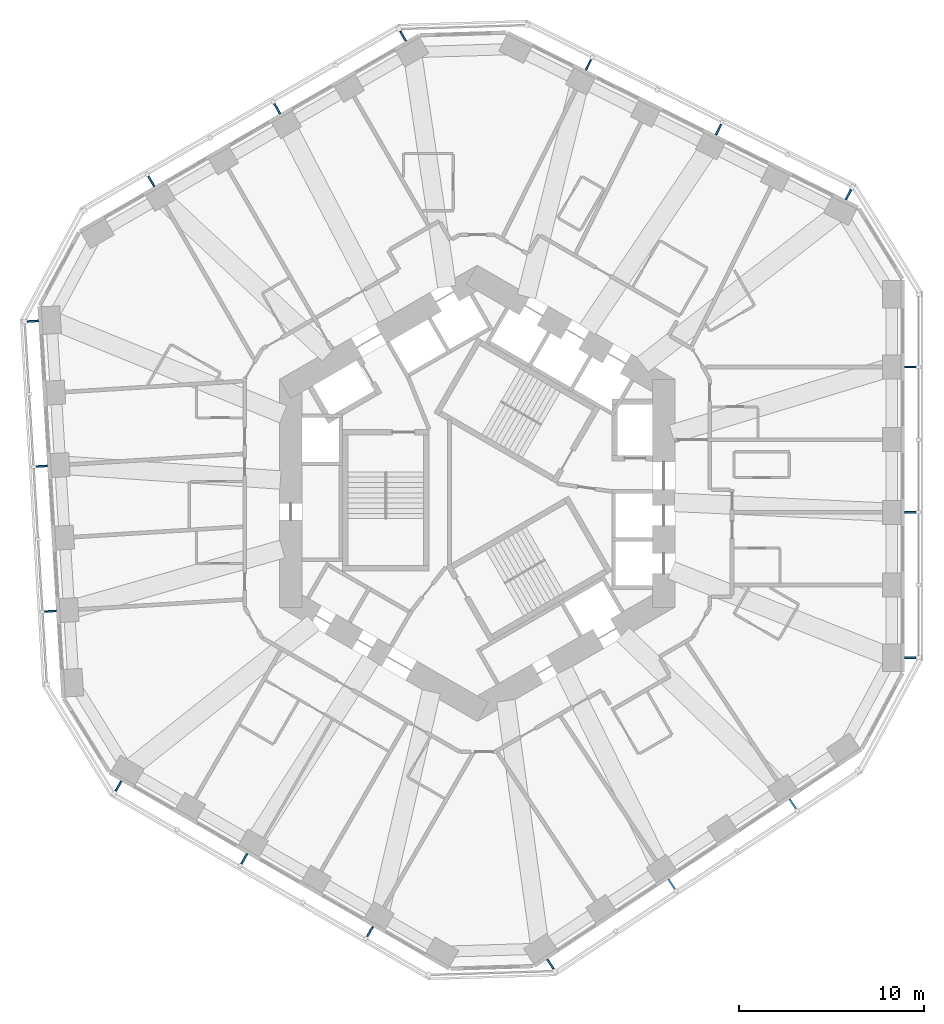
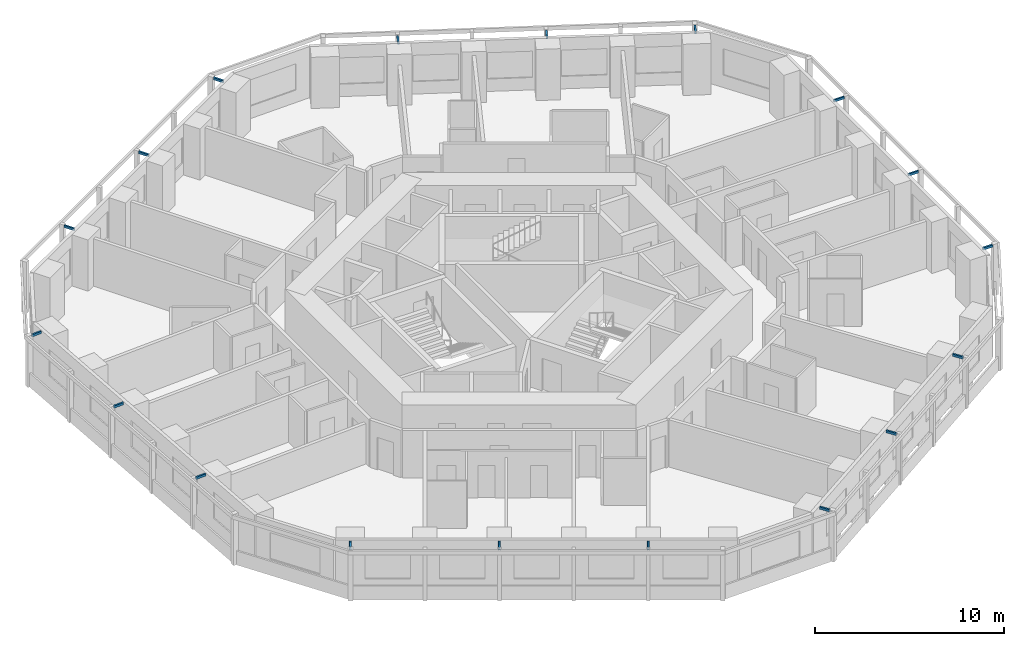
# One storey, part 11 of 12: 18 discrete accessories.
"""IFC4 building model written with IfcOpenShell, lengths in metres."""

import ifcopenshell
import ifcopenshell.guid

model = None  # the IFC model being written
_history = None  # IfcOwnerHistory: only IFC2X3 demands one
_inside = {}  # id of a spatial element -> (the spatial element, [elements in it])
_under = {}  # id of a project, library or spatial element -> (it, [spatial elements below it])
_declared = {}  # id of a project -> (the project, [libraries it declares])
_typed = {}  # id of a type object -> (the type object, [elements of that type])
_made_of = {}  # id of a material, layer set ... -> (it, [elements and type objects made of it])


def new_model(schema):
    """Start an empty IFC model of exactly this schema.

    Asked for "IFC4X3", IfcOpenShell would pick the latest addendum, in which some entities
    have other attributes; the version numbers below select the first issue.
    IFC2X3 requires an IfcOwnerHistory on every rooted entity: one is made here for all.
    """
    global model, _history
    if schema == "IFC4X3":
        model = ifcopenshell.file(schema_version=(4, 3, 0, 0))
    else:
        model = ifcopenshell.file(schema=schema)
    _inside.clear()
    _under.clear()
    _declared.clear()
    _typed.clear()
    _made_of.clear()
    _history = None
    if model.schema == "IFC2X3":
        org = make("IfcOrganization", Name="unknown")
        user = make(
            "IfcPersonAndOrganization",
            ThePerson=make("IfcPerson", FamilyName="unknown"),
            TheOrganization=org,
        )
        app = make(
            "IfcApplication",
            ApplicationDeveloper=org,
            Version="unknown",
            ApplicationFullName="unknown",
            ApplicationIdentifier="unknown",
        )
        _history = make(
            "IfcOwnerHistory",
            OwningUser=user,
            OwningApplication=app,
            ChangeAction="ADDED",
            CreationDate=0,
        )
    return model


def make(cls, **values):
    """One entity of the class cls with the attributes given. An attribute that is None is left unset."""
    return model.create_entity(
        cls, **{name: value for name, value in values.items() if value is not None}
    )


def rooted(cls, **values):
    """An entity with a GlobalId (a new one), such as an element, a storey or a relation."""
    return make(cls, GlobalId=ifcopenshell.guid.new(), OwnerHistory=_history, **values)


def si_unit(unit_type, name, prefix=None):
    """IfcSIUnit, for example si_unit("LENGTHUNIT", "METRE", prefix="MILLI")."""
    return make("IfcSIUnit", UnitType=unit_type, Prefix=prefix, Name=name)


def assignment(units):
    """IfcUnitAssignment: the units of a project."""
    return None if units is None else make("IfcUnitAssignment", Units=units)


def point(xyz):
    """IfcCartesianPoint."""
    return None if xyz is None else make("IfcCartesianPoint", Coordinates=xyz)


def direction(xyz):
    """IfcDirection."""
    return None if xyz is None else make("IfcDirection", DirectionRatios=xyz)


def frame(location, z_axis=None, x_axis=None):
    """IfcAxis2Placement3D, a coordinate frame: its origin and axes. An axis left out is left unset."""
    return make(
        "IfcAxis2Placement3D",
        Location=point(location),
        Axis=direction(z_axis),
        RefDirection=direction(x_axis),
    )


def frame_2d(location, x_axis=None):
    """IfcAxis2Placement2D, a coordinate frame in the plane: its origin and x axis."""
    return make(
        "IfcAxis2Placement2D", Location=point(location), RefDirection=direction(x_axis)
    )


def origin():
    """The frame at (0, 0, 0) with its axes left unset."""
    return frame((0.0, 0.0, 0.0))


def origin_2d():
    """The frame at (0, 0) in the plane with its x axis left unset."""
    return frame_2d((0.0, 0.0))


def place(relative_to, where):
    """IfcLocalPlacement: puts the frame where relative to a parent placement (None: the world)."""
    return make(
        "IfcLocalPlacement", PlacementRelTo=relative_to, RelativePlacement=where
    )


def context(
    kind, dimensions, precision=None, world=None, true_north=None, identifier=None
):
    """IfcGeometricRepresentationContext, for example the 3D "Model" context."""
    return make(
        "IfcGeometricRepresentationContext",
        ContextIdentifier=identifier,
        ContextType=kind,
        CoordinateSpaceDimension=dimensions,
        Precision=precision,
        WorldCoordinateSystem=world,
        TrueNorth=true_north,
    )


def subcontext(parent, identifier, kind, view, scale=None):
    """IfcGeometricRepresentationSubContext, for example "Body" below "Model"."""
    return make(
        "IfcGeometricRepresentationSubContext",
        ContextIdentifier=identifier,
        ContextType=kind,
        ParentContext=parent,
        TargetScale=scale,
        TargetView=view,
    )


def project(units=None, contexts=None):
    """IfcProject with its units and contexts."""
    return rooted(
        "IfcProject",
        Name="project",
        RepresentationContexts=contexts,
        UnitsInContext=assignment(units),
    )


def spatial(cls, under=None, at=None, **own):
    """A site, building, storey or space (cls), placed at a placement, below another one or the project."""
    s = rooted(cls, ObjectPlacement=at, **own)
    if under is not None:
        _under.setdefault(under.id(), (under, []))[1].append(s)
    return s


def profile(cls, at=None, kind="AREA", **sizes):
    """A parametric profile (cls). Its sizes go by their IFC names, for example OverallWidth=200.0."""
    return make(cls, ProfileType=kind, Position=at, **sizes)


def rectangle(**sizes):
    """IfcRectangleProfileDef."""
    return profile("IfcRectangleProfileDef", **sizes)


def extrude(swept, where, along, depth):
    """IfcExtrudedAreaSolid: the profile swept, set in the frame where, extruded along a direction by depth."""
    return make(
        "IfcExtrudedAreaSolid",
        SweptArea=swept,
        Position=where,
        ExtrudedDirection=direction(along),
        Depth=depth,
    )


def shape(context_of_items, identifier, shape_type, items):
    """IfcShapeRepresentation: the items that make up one representation, for example the "Body"."""
    return make(
        "IfcShapeRepresentation",
        ContextOfItems=context_of_items,
        RepresentationIdentifier=identifier,
        RepresentationType=shape_type,
        Items=items,
    )


def material(Name=None, Category=None):
    """IfcMaterial."""
    return make("IfcMaterial", Name=Name, Category=Category)


def made_of(thing, what):
    """Note that an element or type object is made of a material, layer set ...; save() writes the relation."""
    if what is not None:
        _made_of.setdefault(what.id(), (what, []))[1].append(thing)
    return thing


def type_object(cls, material=None, **own):
    """A type object (cls), such as IfcWallType, which elements share."""
    return made_of(rooted(cls, **own), material)


def element(
    cls,
    number,
    at=None,
    inside=None,
    cuts=None,
    type_object=None,
    material=None,
    context=None,
    identifier="Body",
    shape_type=None,
    held_by="IfcProductDefinitionShape",
    body=None,
    shapes=None,
    **own,
):
    """One element of the class cls, such as IfcWall. Its Tag is "e" and its number.

    at: its placement. inside: the storey or other place that contains it. cuts: it is an
    opening in that element (IfcRelVoidsElement). A single representation is given by context,
    identifier, shape_type and body (its items); several are given by shapes. held_by: the class
    of the entity that holds the representations. save() writes the other relations.
    """
    e = rooted(cls, Tag="e%d" % number, ObjectPlacement=at, **own)
    if body is not None:
        shapes = [shape(context, identifier, shape_type, body)]
    if shapes is not None:
        e.Representation = make(held_by, Representations=shapes)
    if inside is not None:
        _inside.setdefault(inside.id(), (inside, []))[1].append(e)
    if cuts is not None:
        rooted(
            "IfcRelVoidsElement", RelatingBuildingElement=cuts, RelatedOpeningElement=e
        )
    if type_object is not None:
        _typed.setdefault(type_object.id(), (type_object, []))[1].append(e)
    return made_of(e, material)


def aggregate(whole, parts):
    """IfcRelAggregates: a whole, such as a stair, and the parts it consists of."""
    return rooted("IfcRelAggregates", RelatingObject=whole, RelatedObjects=parts)


def save(model, path):
    """Write the relations noted so far, then the file.

    IfcRelAggregates (storeys below a building ...), IfcRelContainedInSpatialStructure (elements
    in a storey), IfcRelDefinesByType, IfcRelAssociatesMaterial and IfcRelDeclares: one each for
    every whole, place, type object, material and project.
    """
    for whole, parts in _under.values():
        aggregate(whole, parts)
    for where, things in _inside.values():
        rooted(
            "IfcRelContainedInSpatialStructure",
            RelatedElements=things,
            RelatingStructure=where,
        )
    for kind, things in _typed.values():
        rooted("IfcRelDefinesByType", RelatedObjects=things, RelatingType=kind)
    for what, things in _made_of.values():
        rooted("IfcRelAssociatesMaterial", RelatedObjects=things, RelatingMaterial=what)
    for by, libraries in _declared.values():
        rooted("IfcRelDeclares", RelatingContext=by, RelatedDefinitions=libraries)
    model.write(path)


model = new_model("IFC4")

# Units and contexts
model_context = context("Model", 3, precision=1e-05, world=origin(), true_north=direction((0.0, 1.0)))
body_context = subcontext(model_context, "Body", "Model", "MODEL_VIEW")
ifc_project = project(units=[si_unit("LENGTHUNIT", "METRE"), si_unit("AREAUNIT", "SQUARE_METRE"), si_unit("VOLUMEUNIT", "CUBIC_METRE"), si_unit("PLANEANGLEUNIT", "RADIAN"), si_unit("MASSUNIT", "GRAM", prefix="KILO")], contexts=[model_context])

# Site, building, storey
site_placement = place(None, origin())
site = spatial("IfcSite", under=ifc_project, at=site_placement, CompositionType="ELEMENT")
building_placement = place(site_placement, origin())
building = spatial("IfcBuilding", under=site, at=building_placement, Name="Vanh Sen Convention Tower", CompositionType="ELEMENT")
storey_placement = place(building_placement, frame((0.0, 0.0, 53.89990234375)))
storey = spatial("IfcBuildingStorey", under=building, at=storey_placement, Name="L10", CompositionType="ELEMENT", Elevation=53.89990234375)

# Discrete accessories
ifc_material = material(Name="Steel S355", Category="steel")
discrete_accessory_type = type_object("IfcDiscreteAccessoryType", Name="Fin bracket 100 x 150", PredefinedType="BRACKET", material=ifc_material)
discrete_accessory_1_placement = place(storey_placement, frame((23.449951171875, -8.899169921875, 3.10009765625), z_axis=(0.0, 0.0, 1.0), x_axis=(1.0, 0.0, 0.0)))
element("IfcDiscreteAccessory", 1, at=discrete_accessory_1_placement, inside=storey, type_object=discrete_accessory_type, Name="Fin bracket E-1 L10", PredefinedType="BRACKET", context=body_context, shape_type="SweptSolid", body=[
    extrude(rectangle(XDim=0.60009765625, YDim=0.10009765625, at=origin_2d()), origin(), (0.0, 0.0, 1.0), 0.14990234375),
])
for number, where, z_axis, x_axis, name in (
    (2, (23.46240234375, -1.030029296875, 3.10009765625), (0.0, 0.0, 1.0), (1.0, 0.0, 0.0), "Fin bracket E-3 L10"),
    (3, (23.46240234375, 6.839111328125, 3.10009765625), (0.0, 0.0, 1.0), (1.0, 0.0, 0.0), "Fin bracket E-5 L10"),
):
    element("IfcDiscreteAccessory", number, at=place(storey_placement, frame(where, z_axis=z_axis, x_axis=x_axis)), inside=storey, type_object=discrete_accessory_type, Name=name, PredefinedType="BRACKET", context=body_context, shape_type="SweptSolid", body=[
        extrude(rectangle(XDim=0.625, YDim=0.10009765625, at=origin_2d()), origin(), (0.0, 0.0, 1.0), 0.14990234375),
    ])
discrete_accessory_2_placement = place(storey_placement, frame((20.10498046875, 16.178955078125, 3.10009765625), z_axis=(0.0, 0.0, 1.0), x_axis=(0.44619781311, 0.894934361602, 0.0)))
element("IfcDiscreteAccessory", 4, at=discrete_accessory_2_placement, inside=storey, type_object=discrete_accessory_type, Name="Fin bracket NE-1 L10", PredefinedType="BRACKET", context=body_context, shape_type="SweptSolid", body=[
    extrude(rectangle(XDim=0.60009765625, YDim=0.10009765625, at=origin_2d()), origin(), (0.0, 0.0, 1.0), 0.14990234375),
])
for number, where, z_axis, x_axis, name in (
    (5, (13.068359375, 19.701416015625, 3.10009765625), (0.0, 0.0, 1.0), (0.44619781311, 0.894934361602, 0.0), "Fin bracket NE-3 L10"),
    (6, (6.02587890625, 23.212646484375, 3.10009765625), (0.0, 0.0, 1.0), (0.44619781311, 0.894934361602, 0.0), "Fin bracket NE-5 L10"),
):
    element("IfcDiscreteAccessory", number, at=place(storey_placement, frame(where, z_axis=z_axis, x_axis=x_axis)), inside=storey, type_object=discrete_accessory_type, Name=name, PredefinedType="BRACKET", context=body_context, shape_type="SweptSolid", body=[
        extrude(rectangle(XDim=0.625, YDim=0.10009765625, at=origin_2d()), origin(), (0.0, 0.0, 1.0), 0.14990234375),
    ])
discrete_accessory_3_placement = place(storey_placement, frame((-4.01806640625, 24.7578125, 3.10009765625), z_axis=(0.0, 0.0, 1.0), x_axis=(-0.5, 0.866025403784, 0.0)))
element("IfcDiscreteAccessory", 7, at=discrete_accessory_3_placement, inside=storey, type_object=discrete_accessory_type, Name="Fin bracket NW-1 L10", PredefinedType="BRACKET", context=body_context, shape_type="SweptSolid", body=[
    extrude(rectangle(XDim=0.60009765625, YDim=0.10009765625, at=origin_2d()), origin(), (0.0, 0.0, 1.0), 0.14990234375),
])
for number, where, z_axis, x_axis, name in (
    (8, (-10.839111328125, 20.834228515625, 3.10009765625), (0.0, 0.0, 1.0), (-0.5, 0.866025403784, 0.0), "Fin bracket NW-3 L10"),
    (9, (-17.654296875, 16.899658203125, 3.10009765625), (0.0, 0.0, 1.0), (-0.5, 0.866025403784, 0.0), "Fin bracket NW-5 L10"),
):
    element("IfcDiscreteAccessory", number, at=place(storey_placement, frame(where, z_axis=z_axis, x_axis=x_axis)), inside=storey, type_object=discrete_accessory_type, Name=name, PredefinedType="BRACKET", context=body_context, shape_type="SweptSolid", body=[
        extrude(rectangle(XDim=0.625, YDim=0.10009765625, at=origin_2d()), origin(), (0.0, 0.0, 1.0), 0.14990234375),
    ])
discrete_accessory_4_placement = place(storey_placement, frame((-24.06396484375, 9.322021484375, 3.10009765625), z_axis=(0.0, 0.0, 1.0), x_axis=(-0.998134798422, -0.061048539535, 0.0)))
element("IfcDiscreteAccessory", 10, at=discrete_accessory_4_placement, inside=storey, type_object=discrete_accessory_type, Name="Fin bracket W-1 L10", PredefinedType="BRACKET", context=body_context, shape_type="SweptSolid", body=[
    extrude(rectangle(XDim=0.60009765625, YDim=0.10009765625, at=origin_2d()), origin(), (0.0, 0.0, 1.0), 0.14990234375),
])
for number, where, z_axis, x_axis, name in (
    (11, (-23.595947265625, 1.466796875, 3.10009765625), (0.0, 0.0, 1.0), (-0.998134798422, -0.061048539535, 0.0), "Fin bracket W-3 L10"),
    (12, (-23.115478515625, -6.3876953125, 3.10009765625), (0.0, 0.0, 1.0), (-0.998134798422, -0.061048539535, 0.0), "Fin bracket W-5 L10"),
):
    element("IfcDiscreteAccessory", number, at=place(storey_placement, frame(where, z_axis=z_axis, x_axis=x_axis)), inside=storey, type_object=discrete_accessory_type, Name=name, PredefinedType="BRACKET", context=body_context, shape_type="SweptSolid", body=[
        extrude(rectangle(XDim=0.625, YDim=0.10009765625, at=origin_2d()), origin(), (0.0, 0.0, 1.0), 0.14990234375),
    ])
discrete_accessory_5_placement = place(storey_placement, frame((-19.431884765625, -15.858642578125, 3.10009765625), z_axis=(0.0, 0.0, 1.0), x_axis=(-0.5, -0.866025403784, 0.0)))
element("IfcDiscreteAccessory", 13, at=discrete_accessory_5_placement, inside=storey, type_object=discrete_accessory_type, Name="Fin bracket SW-1 L10", PredefinedType="BRACKET", context=body_context, shape_type="SweptSolid", body=[
    extrude(rectangle(XDim=0.60009765625, YDim=0.10009765625, at=origin_2d()), origin(), (0.0, 0.0, 1.0), 0.14990234375),
])
for number, where, z_axis, x_axis, name in (
    (14, (-12.623291015625, -19.80419921875, 3.10009765625), (0.0, 0.0, 1.0), (-0.5, -0.866025403784, 0.0), "Fin bracket SW-3 L10"),
    (15, (-5.808349609375, -23.73876953125, 3.10009765625), (0.0, 0.0, 1.0), (-0.5, -0.866025403784, 0.0), "Fin bracket SW-5 L10"),
):
    element("IfcDiscreteAccessory", number, at=place(storey_placement, frame(where, z_axis=z_axis, x_axis=x_axis)), inside=storey, type_object=discrete_accessory_type, Name=name, PredefinedType="BRACKET", context=body_context, shape_type="SweptSolid", body=[
        extrude(rectangle(XDim=0.625, YDim=0.10009765625, at=origin_2d()), origin(), (0.0, 0.0, 1.0), 0.14990234375),
    ])
discrete_accessory_6_placement = place(storey_placement, frame((3.958740234375, -25.5009765625, 3.10009765625), z_axis=(0.0, 0.0, 1.0), x_axis=(0.551936985312, -0.833885822067, 0.0)))
element("IfcDiscreteAccessory", 16, at=discrete_accessory_6_placement, inside=storey, type_object=discrete_accessory_type, Name="Fin bracket SE-1 L10", PredefinedType="BRACKET", context=body_context, shape_type="SweptSolid", body=[
    extrude(rectangle(XDim=0.60009765625, YDim=0.10009765625, at=origin_2d()), origin(), (0.0, 0.0, 1.0), 0.14990234375),
])
for number, where, z_axis, x_axis, name in (
    (17, (10.527587890625, -21.168212890625, 3.10009765625), (0.0, 0.0, 1.0), (0.551936985312, -0.833885822067, 0.0), "Fin bracket SE-3 L10"),
    (18, (17.089599609375, -16.824951171875, 3.10009765625), (0.0, 0.0, 1.0), (0.551936985312, -0.833885822067, 0.0), "Fin bracket SE-5 L10"),
):
    element("IfcDiscreteAccessory", number, at=place(storey_placement, frame(where, z_axis=z_axis, x_axis=x_axis)), inside=storey, type_object=discrete_accessory_type, Name=name, PredefinedType="BRACKET", context=body_context, shape_type="SweptSolid", body=[
        extrude(rectangle(XDim=0.625, YDim=0.10009765625, at=origin_2d()), origin(), (0.0, 0.0, 1.0), 0.14990234375),
    ])

save(model, "model.ifc")
